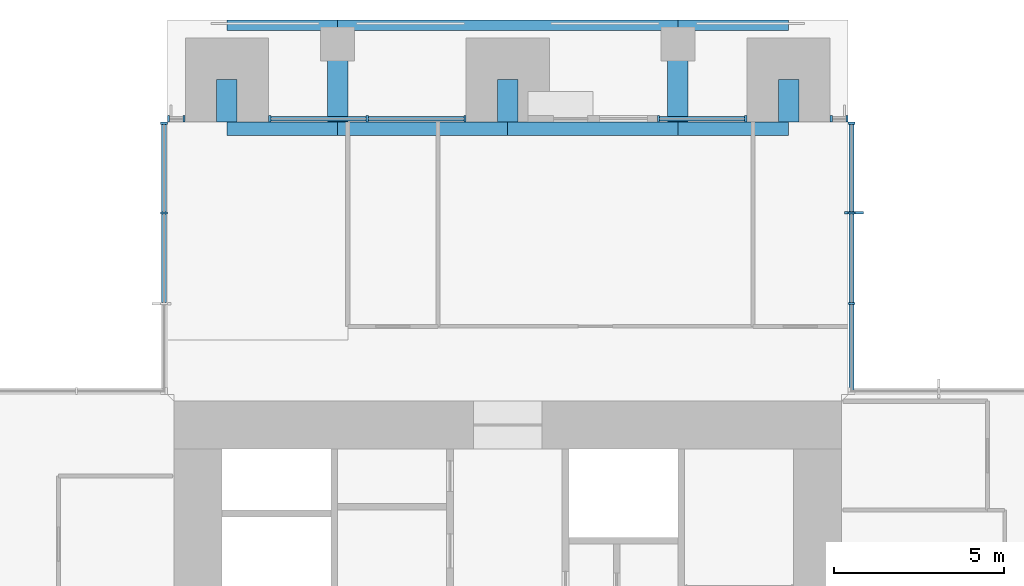
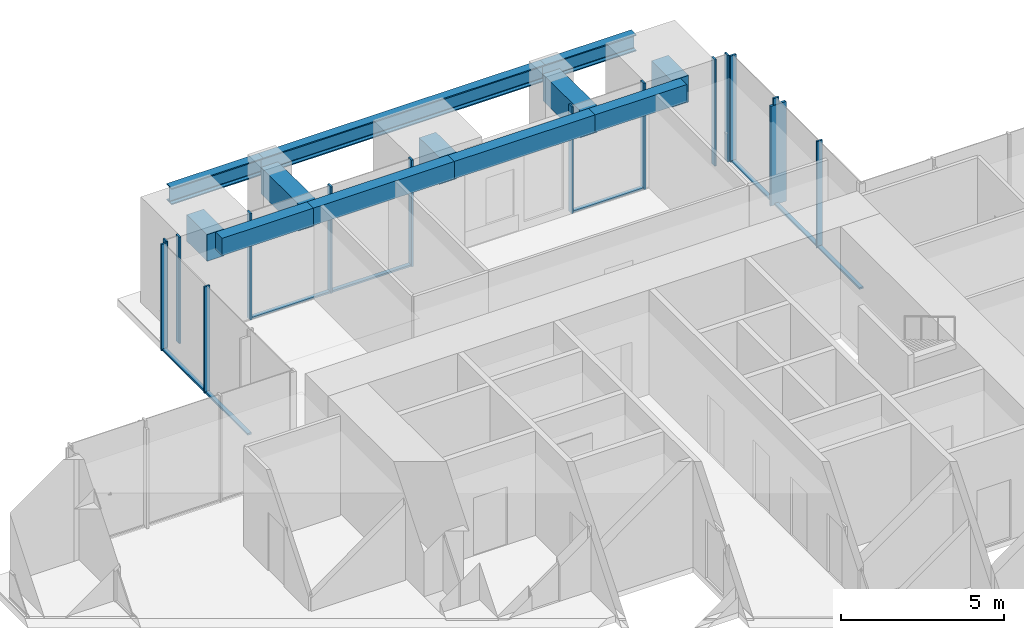
# One storey, part 5 of 17: 23 members, 12 beams, 6 elements without a shape of their own.
"""IFC4 building model written with IfcOpenShell, lengths in metres."""

from ifc_helpers import new_model, si_unit, direction, frame, origin, origin_2d, place, context, subcontext, project, spatial, rectangle, i_section, extrude, material, material_profile, profile_set, type_object, element, aggregate, save


model = new_model("IFC4")

# Units and contexts
model_context = context("Model", 3, precision=1e-05, world=origin(), true_north=direction((0.0, 1.0)))
body_context = subcontext(model_context, "Body", "Model", "MODEL_VIEW")
ifc_project = project(units=[si_unit("LENGTHUNIT", "METRE"), si_unit("AREAUNIT", "SQUARE_METRE"), si_unit("VOLUMEUNIT", "CUBIC_METRE"), si_unit("PLANEANGLEUNIT", "RADIAN"), si_unit("MASSUNIT", "GRAM", prefix="KILO")], contexts=[model_context])

# Site, building, storey
site_placement = place(None, origin())
site = spatial("IfcSite", under=ifc_project, at=site_placement, CompositionType="ELEMENT")
building_placement = place(site_placement, origin())
building = spatial("IfcBuilding", under=site, at=building_placement, Name="Svetlomir Tower", CompositionType="ELEMENT")
storey_placement = place(building_placement, frame((0.0, 0.0, 194.5)))
storey = spatial("IfcBuildingStorey", under=building, at=storey_placement, Name="L46", CompositionType="ELEMENT", Elevation=194.5)

# Curtain wall, members
ifc_material_1 = material(Name="Bronze anodised aluminium curtain wall", Category="aluminium")
curtain_wall_type = type_object("IfcCurtainWallType", Name="CURTAIN WALL CW1 TOWER OFFICE", PredefinedType="NOTDEFINED", material=ifc_material_1)
curtain_wall_1_placement = place(storey_placement, origin())
curtain_wall_1 = element("IfcCurtainWall", 1, at=curtain_wall_1_placement, inside=storey, type_object=curtain_wall_type, Name="Curtain wall CW1 L46", PredefinedType="NOTDEFINED")
ifc_material_2 = material(Name="Bronze anodised aluminium", Category="aluminium")
ifc_material_profile_1 = material_profile(ifc_material_2, rectangle(XDim=0.080078125, YDim=0.550048828125, at=origin_2d()), Name="FIN 80x550")
ifc_profile_set_1 = profile_set([ifc_material_profile_1], Name="Bronze anodised aluminium 6063-T6")
member_type_1 = type_object("IfcMemberType", Name="BRONZE FIN 80x550", PredefinedType="USERDEFINED", material=ifc_profile_set_1)
member_1_placement = place(storey_placement, frame((31.175048828125, 36.333251953125, 0.0), z_axis=(0.0, 0.0, 1.0), x_axis=(0.0, 1.0, 0.0)))
member_1 = element("IfcMember", 2, at=member_1_placement, type_object=member_type_1, Name="Bronze fin L46", ObjectType="FIN", PredefinedType="USERDEFINED", context=body_context, shape_type="SweptSolid", body=[
    extrude(rectangle(XDim=0.080078125, YDim=0.550048828125, at=origin_2d()), origin(), (0.0, 0.0, 1.0), 3.75),
])
ifc_material_3 = material(Name="Bronze anodised aluminium", Category="aluminium")
ifc_material_profile_2 = material_profile(ifc_material_3, rectangle(XDim=0.06494140625, YDim=0.199951171875, at=origin_2d()), Name="AL 65x200")
ifc_profile_set_2 = profile_set([ifc_material_profile_2], Name="Bronze anodised aluminium 6063-T6")
member_type_2 = type_object("IfcMemberType", Name="CW1 MULLION 65x200", PredefinedType="MULLION", material=ifc_profile_set_2)
member_2_placement = place(storey_placement, frame((31.10009765625, 33.666748046875, 0.0), z_axis=(0.0, 0.0, 1.0), x_axis=(0.0, 1.0, 0.0)))
member_2 = element("IfcMember", 3, at=member_2_placement, type_object=member_type_2, Name="CW1 mullion 2", PredefinedType="MULLION", context=body_context, shape_type="SweptSolid", body=[
    extrude(rectangle(XDim=0.06494140625, YDim=0.199951171875, at=origin_2d()), origin(), (0.0, 0.0, 1.0), 4.0),
])
member_3_placement = place(storey_placement, frame((31.10009765625, 36.333251953125, 0.0), z_axis=(0.0, 0.0, 1.0), x_axis=(0.0, 1.0, 0.0)))
member_3 = element("IfcMember", 4, at=member_3_placement, type_object=member_type_2, Name="CW1 mullion 3", PredefinedType="MULLION", context=body_context, shape_type="SweptSolid", body=[
    extrude(rectangle(XDim=0.06494140625, YDim=0.199951171875, at=origin_2d()), origin(), (0.0, 0.0, 1.0), 4.0),
])
member_4_placement = place(storey_placement, frame((31.10009765625, 38.967529296875, 0.0), z_axis=(0.0, 0.0, 1.0), x_axis=(0.0, 1.0, 0.0)))
member_4 = element("IfcMember", 5, at=member_4_placement, type_object=member_type_2, Name="CW1 mullion 4", PredefinedType="MULLION", context=body_context, shape_type="SweptSolid", body=[
    extrude(rectangle(XDim=0.06494140625, YDim=0.199951171875, at=origin_2d()), origin(), (0.0, 0.0, 1.0), 4.0),
])

curtain_wall_2_placement = place(storey_placement, origin())
curtain_wall_2 = element("IfcCurtainWall", 6, at=curtain_wall_2_placement, inside=storey, type_object=curtain_wall_type, Name="Curtain wall CW1 L46", PredefinedType="NOTDEFINED")
member_5_placement = place(storey_placement, frame((30.967529296875, 39.10009765625, 0.0), z_axis=(0.0, 0.0, 1.0), x_axis=(-1.0, 0.0, 0.0)))
member_5 = element("IfcMember", 7, at=member_5_placement, type_object=member_type_2, Name="CW1 mullion 1", PredefinedType="MULLION", context=body_context, shape_type="SweptSolid", body=[
    extrude(rectangle(XDim=0.06494140625, YDim=0.199951171875, at=origin_2d()), origin(), (0.0, 0.0, 1.0), 4.0),
])
member_6_placement = place(storey_placement, frame((30.507568359375, 39.10009765625, 0.0), z_axis=(0.0, 0.0, 1.0), x_axis=(-1.0, 0.0, 0.0)))
member_6 = element("IfcMember", 8, at=member_6_placement, type_object=member_type_2, Name="CW1 mullion 2", PredefinedType="MULLION", context=body_context, shape_type="SweptSolid", body=[
    extrude(rectangle(XDim=0.06494140625, YDim=0.199951171875, at=origin_2d()), origin(), (0.0, 0.0, 1.0), 4.0),
])
aggregate(curtain_wall_2, [member_5, member_6])

curtain_wall_3_placement = place(storey_placement, origin())
curtain_wall_3 = element("IfcCurtainWall", 9, at=curtain_wall_3_placement, inside=storey, type_object=curtain_wall_type, Name="Curtain wall CW1 L46", PredefinedType="NOTDEFINED")
member_7_placement = place(storey_placement, frame((27.992431640625, 39.10009765625, 0.0), z_axis=(0.0, 0.0, 1.0), x_axis=(-1.0, 0.0, 0.0)))
member_7 = element("IfcMember", 10, at=member_7_placement, type_object=member_type_2, Name="CW1 mullion 1", PredefinedType="MULLION", context=body_context, shape_type="SweptSolid", body=[
    extrude(rectangle(XDim=0.06494140625, YDim=0.199951171875, at=origin_2d()), origin(), (0.0, 0.0, 1.0), 4.0),
])
member_8_placement = place(storey_placement, frame((25.4326171875, 39.10009765625, 0.0), z_axis=(0.0, 0.0, 1.0), x_axis=(-1.0, 0.0, 0.0)))
member_8 = element("IfcMember", 11, at=member_8_placement, type_object=member_type_2, Name="CW1 mullion 2", PredefinedType="MULLION", context=body_context, shape_type="SweptSolid", body=[
    extrude(rectangle(XDim=0.06494140625, YDim=0.199951171875, at=origin_2d()), origin(), (0.0, 0.0, 1.0), 4.0),
])

curtain_wall_4_placement = place(storey_placement, origin())
curtain_wall_4 = element("IfcCurtainWall", 12, at=curtain_wall_4_placement, inside=storey, type_object=curtain_wall_type, Name="Curtain wall CW1 L46", PredefinedType="NOTDEFINED")
member_9_placement = place(storey_placement, frame((19.742431640625, 39.10009765625, 0.0), z_axis=(0.0, 0.0, 1.0), x_axis=(-1.0, 0.0, 0.0)))
member_9 = element("IfcMember", 13, at=member_9_placement, type_object=member_type_2, Name="CW1 mullion 1", PredefinedType="MULLION", context=body_context, shape_type="SweptSolid", body=[
    extrude(rectangle(XDim=0.06494140625, YDim=0.199951171875, at=origin_2d()), origin(), (0.0, 0.0, 1.0), 4.0),
])
member_10_placement = place(storey_placement, frame((16.875, 39.10009765625, 0.0), z_axis=(0.0, 0.0, 1.0), x_axis=(-1.0, 0.0, 0.0)))
member_10 = element("IfcMember", 14, at=member_10_placement, type_object=member_type_2, Name="CW1 mullion 2", PredefinedType="MULLION", context=body_context, shape_type="SweptSolid", body=[
    extrude(rectangle(XDim=0.06494140625, YDim=0.199951171875, at=origin_2d()), origin(), (0.0, 0.0, 1.0), 4.0),
])
member_11_placement = place(storey_placement, frame((14.007568359375, 39.10009765625, 0.0), z_axis=(0.0, 0.0, 1.0), x_axis=(-1.0, 0.0, 0.0)))
member_11 = element("IfcMember", 15, at=member_11_placement, type_object=member_type_2, Name="CW1 mullion 3", PredefinedType="MULLION", context=body_context, shape_type="SweptSolid", body=[
    extrude(rectangle(XDim=0.06494140625, YDim=0.199951171875, at=origin_2d()), origin(), (0.0, 0.0, 1.0), 4.0),
])

curtain_wall_5_placement = place(storey_placement, origin())
curtain_wall_5 = element("IfcCurtainWall", 16, at=curtain_wall_5_placement, inside=storey, type_object=curtain_wall_type, Name="Curtain wall CW1 L46", PredefinedType="NOTDEFINED")
member_12_placement = place(storey_placement, frame((11.492431640625, 39.10009765625, 0.0), z_axis=(0.0, 0.0, 1.0), x_axis=(-1.0, 0.0, 0.0)))
member_12 = element("IfcMember", 17, at=member_12_placement, type_object=member_type_2, Name="CW1 mullion 1", PredefinedType="MULLION", context=body_context, shape_type="SweptSolid", body=[
    extrude(rectangle(XDim=0.06494140625, YDim=0.199951171875, at=origin_2d()), origin(), (0.0, 0.0, 1.0), 4.0),
])
member_13_placement = place(storey_placement, frame((11.032470703125, 39.10009765625, 0.0), z_axis=(0.0, 0.0, 1.0), x_axis=(-1.0, 0.0, 0.0)))
member_13 = element("IfcMember", 18, at=member_13_placement, type_object=member_type_2, Name="CW1 mullion 2", PredefinedType="MULLION", context=body_context, shape_type="SweptSolid", body=[
    extrude(rectangle(XDim=0.06494140625, YDim=0.199951171875, at=origin_2d()), origin(), (0.0, 0.0, 1.0), 4.0),
])
aggregate(curtain_wall_5, [member_12, member_13])

curtain_wall_6_placement = place(storey_placement, origin())
curtain_wall_6 = element("IfcCurtainWall", 19, at=curtain_wall_6_placement, inside=storey, type_object=curtain_wall_type, Name="Curtain wall CW1 L46", PredefinedType="NOTDEFINED")
member_14_placement = place(storey_placement, frame((10.89990234375, 38.967529296875, 0.0), z_axis=(0.0, 0.0, 1.0), x_axis=(0.0, -1.0, 0.0)))
member_14 = element("IfcMember", 20, at=member_14_placement, type_object=member_type_2, Name="CW1 mullion 1", PredefinedType="MULLION", context=body_context, shape_type="SweptSolid", body=[
    extrude(rectangle(XDim=0.06494140625, YDim=0.199951171875, at=origin_2d()), origin(), (0.0, 0.0, 1.0), 4.0),
])
member_15_placement = place(storey_placement, frame((10.89990234375, 36.333251953125, 0.0), z_axis=(0.0, 0.0, 1.0), x_axis=(0.0, -1.0, 0.0)))
member_15 = element("IfcMember", 21, at=member_15_placement, type_object=member_type_2, Name="CW1 mullion 2", PredefinedType="MULLION", context=body_context, shape_type="SweptSolid", body=[
    extrude(rectangle(XDim=0.06494140625, YDim=0.199951171875, at=origin_2d()), origin(), (0.0, 0.0, 1.0), 4.0),
])

# Member
ifc_material_4 = material(Name="Bronze anodised aluminium", Category="aluminium")
ifc_material_profile_3 = material_profile(ifc_material_4, rectangle(XDim=0.139892578125, YDim=0.06494140625, at=origin_2d()), Name="AL 140x65")
ifc_profile_set_3 = profile_set([ifc_material_profile_3], Name="Bronze anodised aluminium 6063-T6")
member_type_3 = type_object("IfcMemberType", Name="CW1 TRANSOM 65x140", PredefinedType="USERDEFINED", material=ifc_profile_set_3)
member_16_placement = place(storey_placement, frame((31.10009765625, 31.06494140625, 0.032470703125), z_axis=(0.0, 1.0, 0.0), x_axis=(-1.0, 0.0, 0.0)))
member_16 = element("IfcMember", 22, at=member_16_placement, type_object=member_type_3, Name="CW1 transom 1.1", ObjectType="TRANSOM", PredefinedType="USERDEFINED", context=body_context, shape_type="SweptSolid", body=[
    extrude(rectangle(XDim=0.139892578125, YDim=0.06494140625, at=origin_2d()), origin(), (0.0, 0.0, 1.0), 2.5693359375),
])

member_17_placement = place(storey_placement, frame((31.10009765625, 33.69921875, 0.032470703125), z_axis=(0.0, 1.0, 0.0), x_axis=(-1.0, 0.0, 0.0)))
member_17 = element("IfcMember", 23, at=member_17_placement, type_object=member_type_3, Name="CW1 transom 2.1", ObjectType="TRANSOM", PredefinedType="USERDEFINED", context=body_context, shape_type="SweptSolid", body=[
    extrude(rectangle(XDim=0.139892578125, YDim=0.06494140625, at=origin_2d()), origin(), (0.0, 0.0, 1.0), 2.6015625),
])

member_18_placement = place(storey_placement, frame((31.10009765625, 36.36572265625, 0.032470703125), z_axis=(0.0, 1.0, 0.0), x_axis=(-1.0, 0.0, 0.0)))
member_18 = element("IfcMember", 24, at=member_18_placement, type_object=member_type_3, Name="CW1 transom 3.1", ObjectType="TRANSOM", PredefinedType="USERDEFINED", context=body_context, shape_type="SweptSolid", body=[
    extrude(rectangle(XDim=0.139892578125, YDim=0.06494140625, at=origin_2d()), origin(), (0.0, 0.0, 1.0), 2.5693359375),
])

aggregate(curtain_wall_1, [member_2, member_3, member_4, member_16, member_17, member_18, member_1])

member_19_placement = place(storey_placement, frame((27.9599609375, 39.10009765625, 0.032470703125), z_axis=(-1.0, 0.0, 0.0), x_axis=(0.0, -1.0, 0.0)))
member_19 = element("IfcMember", 25, at=member_19_placement, type_object=member_type_3, Name="CW1 transom 1.1", ObjectType="TRANSOM", PredefinedType="USERDEFINED", context=body_context, shape_type="SweptSolid", body=[
    extrude(rectangle(XDim=0.139892578125, YDim=0.06494140625, at=origin_2d()), origin(), (0.0, 0.0, 1.0), 2.494873046875),
])

aggregate(curtain_wall_3, [member_7, member_8, member_19])

member_20_placement = place(storey_placement, frame((19.7099609375, 39.10009765625, 0.032470703125), z_axis=(-1.0, 0.0, 0.0), x_axis=(0.0, -1.0, 0.0)))
member_20 = element("IfcMember", 26, at=member_20_placement, type_object=member_type_3, Name="CW1 transom 1.1", ObjectType="TRANSOM", PredefinedType="USERDEFINED", context=body_context, shape_type="SweptSolid", body=[
    extrude(rectangle(XDim=0.139892578125, YDim=0.06494140625, at=origin_2d()), origin(), (0.0, 0.0, 1.0), 2.802490234375),
])

member_21_placement = place(storey_placement, frame((16.842529296875, 39.10009765625, 0.032470703125), z_axis=(-1.0, 0.0, 0.0), x_axis=(0.0, -1.0, 0.0)))
member_21 = element("IfcMember", 27, at=member_21_placement, type_object=member_type_3, Name="CW1 transom 2.1", ObjectType="TRANSOM", PredefinedType="USERDEFINED", context=body_context, shape_type="SweptSolid", body=[
    extrude(rectangle(XDim=0.139892578125, YDim=0.06494140625, at=origin_2d()), origin(), (0.0, 0.0, 1.0), 2.802490234375),
])

aggregate(curtain_wall_4, [member_9, member_10, member_11, member_20, member_21])

member_22_placement = place(storey_placement, frame((10.89990234375, 38.93505859375, 0.032470703125), z_axis=(0.0, -1.0, 0.0), x_axis=(1.0, 0.0, 0.0)))
member_22 = element("IfcMember", 28, at=member_22_placement, type_object=member_type_3, Name="CW1 transom 1.1", ObjectType="TRANSOM", PredefinedType="USERDEFINED", context=body_context, shape_type="SweptSolid", body=[
    extrude(rectangle(XDim=0.139892578125, YDim=0.06494140625, at=origin_2d()), origin(), (0.0, 0.0, 1.0), 2.5693359375),
])

member_23_placement = place(storey_placement, frame((10.89990234375, 36.30078125, 0.032470703125), z_axis=(0.0, -1.0, 0.0), x_axis=(1.0, 0.0, 0.0)))
member_23 = element("IfcMember", 29, at=member_23_placement, type_object=member_type_3, Name="CW1 transom 2.1", ObjectType="TRANSOM", PredefinedType="USERDEFINED", context=body_context, shape_type="SweptSolid", body=[
    extrude(rectangle(XDim=0.139892578125, YDim=0.06494140625, at=origin_2d()), origin(), (0.0, 0.0, 1.0), 2.6015625),
])

aggregate(curtain_wall_6, [member_14, member_15, member_22, member_23])

# Beams
ifc_material_5 = material(Name="Steel S355", Category="steel")
ifc_material_profile_4 = material_profile(ifc_material_5, i_section(OverallWidth=0.304931640625, OverallDepth=0.6201171875, WebThickness=0.02099609375, FlangeThickness=0.0400390625, FilletRadius=0.027099609375, at=origin_2d()), Name="HEM 600")
ifc_profile_set_4 = profile_set([ifc_material_profile_4], Name="Steel S355")
beam_type_1 = type_object("IfcBeamType", Name="EDGE BEAM HEM 600", PredefinedType="SPANDREL", material=ifc_profile_set_4)
beam_1_placement = place(storey_placement, frame((12.75, 41.847412109375, 3.43994140625), z_axis=(1.0, 0.0, 0.0), x_axis=(0.0, 1.0, 0.0)))
element("IfcBeam", 30, at=beam_1_placement, inside=storey, type_object=beam_type_1, Name="Edge beam 11/42 to 16/42 under L47", PredefinedType="SPANDREL", context=body_context, shape_type="SweptSolid", body=[
    extrude(i_section(OverallWidth=0.304931640625, OverallDepth=0.6201171875, WebThickness=0.02099609375, FlangeThickness=0.0400390625, FilletRadius=0.027099609375, at=origin_2d()), origin(), (0.0, 0.0, 1.0), 3.25),
])
beam_2_placement = place(storey_placement, frame((16.0, 41.847412109375, 3.43994140625), z_axis=(1.0, 0.0, 0.0), x_axis=(0.0, 1.0, 0.0)))
element("IfcBeam", 31, at=beam_2_placement, inside=storey, type_object=beam_type_1, Name="Edge beam 16/42 to 26/42 under L47", PredefinedType="SPANDREL", context=body_context, shape_type="SweptSolid", body=[
    extrude(i_section(OverallWidth=0.304931640625, OverallDepth=0.6201171875, WebThickness=0.02099609375, FlangeThickness=0.0400390625, FilletRadius=0.027099609375, at=origin_2d()), origin(), (0.0, 0.0, 1.0), 10.0),
])
beam_3_placement = place(storey_placement, frame((26.0, 41.847412109375, 3.43994140625), z_axis=(1.0, 0.0, 0.0), x_axis=(0.0, 1.0, 0.0)))
element("IfcBeam", 32, at=beam_3_placement, inside=storey, type_object=beam_type_1, Name="Edge beam 26/42 to 31/42 under L47", PredefinedType="SPANDREL", context=body_context, shape_type="SweptSolid", body=[
    extrude(i_section(OverallWidth=0.304931640625, OverallDepth=0.6201171875, WebThickness=0.02099609375, FlangeThickness=0.0400390625, FilletRadius=0.027099609375, at=origin_2d()), origin(), (0.0, 0.0, 1.0), 3.25),
])
ifc_material_6 = material(Name="Concrete C60/75", Category="concrete")
ifc_material_profile_5 = material_profile(ifc_material_6, rectangle(XDim=0.39990234375, YDim=0.64990234375, at=origin_2d()), Name="RC 400x650")
ifc_profile_set_5 = profile_set([ifc_material_profile_5], Name="Concrete C60/75")
beam_type_2 = type_object("IfcBeamType", Name="FACADE EDGE BEAM RC 400x650", PredefinedType="BEAM", material=ifc_profile_set_5)
beam_4_placement = place(storey_placement, frame((12.75, 38.800048828125, 3.425048828125), z_axis=(1.0, 0.0, 0.0), x_axis=(0.0, 1.0, 0.0)))
element("IfcBeam", 33, at=beam_4_placement, inside=storey, type_object=beam_type_2, Name="Facade edge beam N 11 to 16 under L47", PredefinedType="BEAM", context=body_context, shape_type="SweptSolid", body=[
    extrude(rectangle(XDim=0.39990234375, YDim=0.64990234375, at=origin_2d()), origin(), (0.0, 0.0, 1.0), 3.25),
])
for number, where, z_axis, x_axis, name in (
    (34, (16.0, 38.800048828125, 3.425048828125), (1.0, 0.0, 0.0), (0.0, 1.0, 0.0), "Facade edge beam N 16 to 21 under L47"),
    (35, (21.0, 38.800048828125, 3.425048828125), (1.0, 0.0, 0.0), (0.0, 1.0, 0.0), "Facade edge beam N 21 to 26 under L47"),
):
    element("IfcBeam", number, at=place(storey_placement, frame(where, z_axis=z_axis, x_axis=x_axis)), inside=storey, type_object=beam_type_2, Name=name, PredefinedType="BEAM", context=body_context, shape_type="SweptSolid", body=[
        extrude(rectangle(XDim=0.39990234375, YDim=0.64990234375, at=origin_2d()), origin(), (0.0, 0.0, 1.0), 5.0),
    ])
beam_5_placement = place(storey_placement, frame((26.0, 38.800048828125, 3.425048828125), z_axis=(1.0, 0.0, 0.0), x_axis=(0.0, 1.0, 0.0)))
element("IfcBeam", 36, at=beam_5_placement, inside=storey, type_object=beam_type_2, Name="Facade edge beam N 26 to 31 under L47", PredefinedType="BEAM", context=body_context, shape_type="SweptSolid", body=[
    extrude(rectangle(XDim=0.39990234375, YDim=0.64990234375, at=origin_2d()), origin(), (0.0, 0.0, 1.0), 3.25),
])
ifc_material_7 = material(Name="Concrete C60/75", Category="concrete")
ifc_material_profile_6 = material_profile(ifc_material_7, rectangle(XDim=0.60009765625, YDim=1.0, at=origin_2d()), Name="RC 600x1000")
ifc_profile_set_6 = profile_set([ifc_material_profile_6], Name="Concrete C60/75")
beam_type_3 = type_object("IfcBeamType", Name="LOGGIA LINK BEAM RC 600x1000", PredefinedType="BEAM", material=ifc_profile_set_6)
beam_6_placement = place(storey_placement, frame((12.75, 40.25, 3.25), z_axis=(0.0, -1.0, 0.0), x_axis=(1.0, 0.0, 0.0)))
element("IfcBeam", 37, at=beam_6_placement, inside=storey, type_object=beam_type_3, Name="Loggia link beam N 11 under L47", PredefinedType="BEAM", context=body_context, shape_type="SweptSolid", body=[
    extrude(rectangle(XDim=0.60009765625, YDim=1.0, at=origin_2d()), origin(), (0.0, 0.0, 1.0), 1.25),
])
beam_7_placement = place(storey_placement, frame((16.0, 41.300048828125, 3.25), z_axis=(0.0, -1.0, 0.0), x_axis=(1.0, 0.0, 0.0)))
element("IfcBeam", 38, at=beam_7_placement, inside=storey, type_object=beam_type_3, Name="Loggia link beam N 16 under L47", PredefinedType="BEAM", context=body_context, shape_type="SweptSolid", body=[
    extrude(rectangle(XDim=0.60009765625, YDim=1.0, at=origin_2d()), origin(), (0.0, 0.0, 1.0), 2.300048828125),
])
beam_8_placement = place(storey_placement, frame((21.0, 40.25, 3.25), z_axis=(0.0, -1.0, 0.0), x_axis=(1.0, 0.0, 0.0)))
element("IfcBeam", 39, at=beam_8_placement, inside=storey, type_object=beam_type_3, Name="Loggia link beam N 21 under L47", PredefinedType="BEAM", context=body_context, shape_type="SweptSolid", body=[
    extrude(rectangle(XDim=0.60009765625, YDim=1.0, at=origin_2d()), origin(), (0.0, 0.0, 1.0), 1.25),
])
beam_9_placement = place(storey_placement, frame((26.0, 41.300048828125, 3.25), z_axis=(0.0, -1.0, 0.0), x_axis=(1.0, 0.0, 0.0)))
element("IfcBeam", 40, at=beam_9_placement, inside=storey, type_object=beam_type_3, Name="Loggia link beam N 26 under L47", PredefinedType="BEAM", context=body_context, shape_type="SweptSolid", body=[
    extrude(rectangle(XDim=0.60009765625, YDim=1.0, at=origin_2d()), origin(), (0.0, 0.0, 1.0), 2.300048828125),
])
beam_10_placement = place(storey_placement, frame((29.25, 40.25, 3.25), z_axis=(0.0, -1.0, 0.0), x_axis=(1.0, 0.0, 0.0)))
element("IfcBeam", 41, at=beam_10_placement, inside=storey, type_object=beam_type_3, Name="Loggia link beam N 31 under L47", PredefinedType="BEAM", context=body_context, shape_type="SweptSolid", body=[
    extrude(rectangle(XDim=0.60009765625, YDim=1.0, at=origin_2d()), origin(), (0.0, 0.0, 1.0), 1.25),
])

save(model, "model.ifc")
